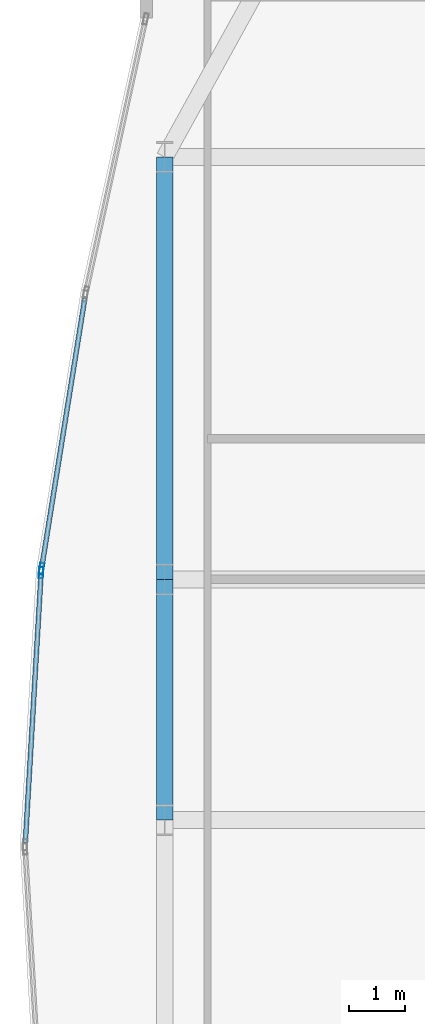
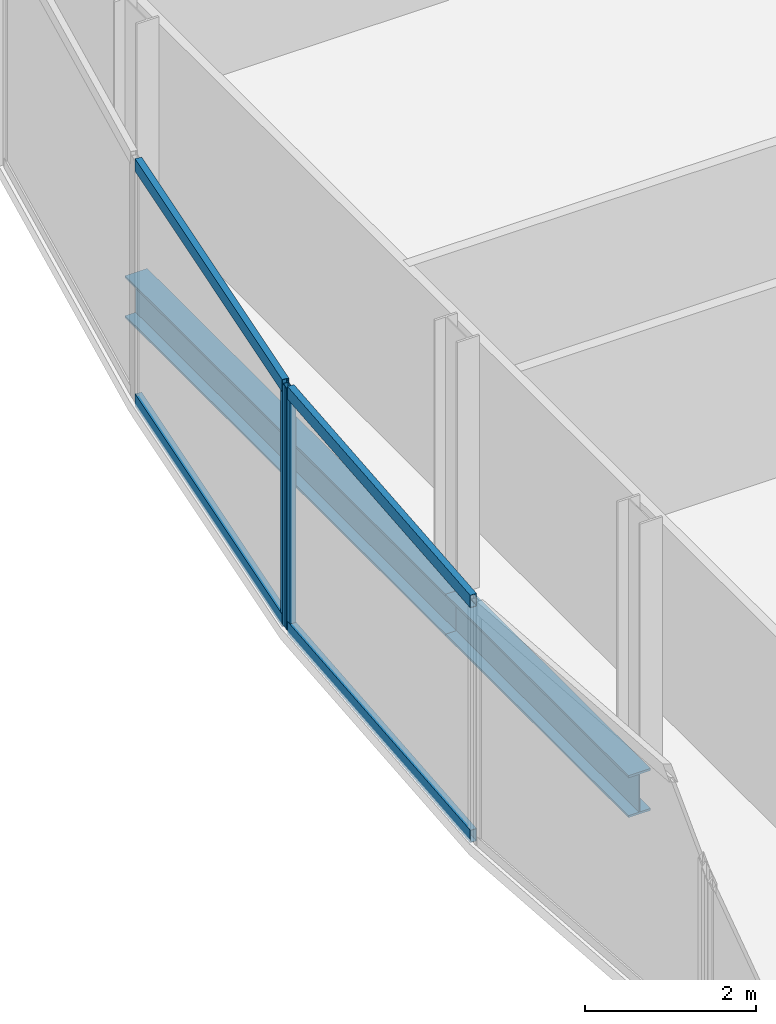
# One storey, part 11 of 29: 6 members, 2 beams, 2 elements without a shape of their own.
"""IFC4 building model written with IfcOpenShell, lengths in metres."""

from ifc_helpers import new_model, si_unit, direction, frame, origin, origin_2d, place, context, subcontext, project, spatial, hollow_rectangle, i_section, extrude, material, material_profile, profile_set, type_object, element, aggregate, save


model = new_model("IFC4")

# Units and contexts
model_context = context("Model", 3, precision=1e-05, world=origin(), true_north=direction((0.0, 1.0)))
body_context = subcontext(model_context, "Body", "Model", "MODEL_VIEW")
ifc_project = project(units=[si_unit("LENGTHUNIT", "METRE"), si_unit("AREAUNIT", "SQUARE_METRE"), si_unit("VOLUMEUNIT", "CUBIC_METRE"), si_unit("PLANEANGLEUNIT", "RADIAN"), si_unit("MASSUNIT", "GRAM", prefix="KILO")], contexts=[model_context])

# Site, building, storey
site_placement = place(None, origin())
site = spatial("IfcSite", under=ifc_project, at=site_placement, CompositionType="ELEMENT")
building_placement = place(site_placement, origin())
building = spatial("IfcBuilding", under=site, at=building_placement, Name="Khoronbel Lancet Exchange", CompositionType="ELEMENT")
storey_placement = place(building_placement, frame((0.0, 0.0, 161.39990234375)))
storey = spatial("IfcBuildingStorey", under=building, at=storey_placement, Name="L40", CompositionType="ELEMENT", Elevation=161.39990234375)

# Beams
ifc_material_1 = material(Name="Steel S355", Category="steel")
ifc_material_profile_1 = material_profile(ifc_material_1, i_section(OverallWidth=0.300048828125, OverallDepth=0.60009765625, WebThickness=0.015380859375, FlangeThickness=0.030029296875, at=origin_2d()), Name="HEB 600")
ifc_profile_set_1 = profile_set([ifc_material_profile_1], Name="Steel S355")
beam_type = type_object("IfcBeamType", Name="BM-BSP2", PredefinedType="SPANDREL", material=ifc_profile_set_1)
beam_1_placement = place(storey_placement, frame((5.27001953125, 43.199951171875, -0.4599609375), z_axis=(0.0, -1.0, 0.0), x_axis=(1.0, 0.0, 0.0)))
element("IfcBeam", 1, at=beam_1_placement, inside=storey, type_object=beam_type, Name="Level L40 perimeter spandrel beam SP17", PredefinedType="SPANDREL", context=body_context, shape_type="SweptSolid", body=[
    extrude(i_section(OverallWidth=0.300048828125, OverallDepth=0.60009765625, WebThickness=0.015380859375, FlangeThickness=0.030029296875, at=origin_2d()), origin(), (0.0, 0.0, 1.0), 7.5),
])
beam_2_placement = place(storey_placement, frame((5.27001953125, 35.699951171875, -0.4599609375), z_axis=(0.0, -1.0, 0.0), x_axis=(1.0, 0.0, 0.0)))
element("IfcBeam", 2, at=beam_2_placement, inside=storey, type_object=beam_type, Name="Level L40 perimeter spandrel beam SP18", PredefinedType="SPANDREL", context=body_context, shape_type="SweptSolid", body=[
    extrude(i_section(OverallWidth=0.300048828125, OverallDepth=0.60009765625, WebThickness=0.015380859375, FlangeThickness=0.030029296875, at=origin_2d()), origin(), (0.0, 0.0, 1.0), 4.27490234375),
])

# Curtain wall, member
ifc_material_2 = material(Name="Low-E Solar Control Insulating Glass", Category="glass")
curtain_wall_type = type_object("IfcCurtainWallType", Name="CW-4", PredefinedType="NOTDEFINED", material=ifc_material_2)
curtain_wall_1_placement = place(storey_placement, origin())
curtain_wall_1 = element("IfcCurtainWall", 3, at=curtain_wall_1_placement, inside=storey, type_object=curtain_wall_type, Name="Unitised curtain wall CW-L40-E07", PredefinedType="NOTDEFINED")
ifc_material_3 = material(Name="Bronze-Anodised Aluminium 6063-T6", Category="aluminium")
ifc_material_profile_2 = material_profile(ifc_material_3, hollow_rectangle(XDim=0.074951171875, YDim=0.199951171875, WallThickness=0.0048828125, at=origin_2d()), Name="ALU MULLION 75x200")
ifc_profile_set_2 = profile_set([ifc_material_profile_2], Name="Bronze-Anodised Aluminium 6063-T6")
member_type_1 = type_object("IfcMemberType", Name="MEM-CWM2", PredefinedType="MULLION", material=ifc_profile_set_2)
member_1_placement = place(storey_placement, frame((3.075439453125, 35.819580078125, 0.0), z_axis=(0.0, 0.0, 1.0), x_axis=(-0.998289143908, 0.058470378441, 0.0)))
member_1 = element("IfcMember", 4, at=member_1_placement, type_object=member_type_1, Name="CW4 mullion 2", PredefinedType="MULLION", context=body_context, shape_type="SweptSolid", body=[
    extrude(hollow_rectangle(XDim=0.074951171875, YDim=0.199951171875, WallThickness=0.0048828125, at=origin_2d()), origin(), (0.0, 0.0, 1.0), 3.440185546875),
])

curtain_wall_2_placement = place(storey_placement, origin())
curtain_wall_2 = element("IfcCurtainWall", 5, at=curtain_wall_2_placement, inside=storey, type_object=curtain_wall_type, Name="Unitised curtain wall CW-L40-E08", PredefinedType="NOTDEFINED")
member_2_placement = place(storey_placement, frame((3.08349609375, 35.89404296875, 0.0), z_axis=(0.0, 0.0, 1.0), x_axis=(-0.987429710822, 0.158058742835, 0.0)))
member_2 = element("IfcMember", 6, at=member_2_placement, type_object=member_type_1, Name="CW4 mullion 1", PredefinedType="MULLION", context=body_context, shape_type="SweptSolid", body=[
    extrude(hollow_rectangle(XDim=0.074951171875, YDim=0.199951171875, WallThickness=0.0048828125, at=origin_2d()), origin(), (0.0, 0.0, 1.0), 3.440185546875),
])

# Member
ifc_material_profile_3 = material_profile(ifc_material_3, hollow_rectangle(XDim=0.0849609375, YDim=0.179931640625, WallThickness=0.0048828125, at=origin_2d()), Name="ALU TRANSOM 85x180")
ifc_profile_set_3 = profile_set([ifc_material_profile_3], Name="Bronze-Anodised Aluminium 6063-T6")
member_type_2 = type_object("IfcMemberType", Name="MEM-CWT1", PredefinedType="USERDEFINED", material=ifc_profile_set_3)
member_3_placement = place(storey_placement, frame((2.794677734375, 31.02490234375, 0.04248046875), z_axis=(0.05845772434, 0.998289884986, 0.0), x_axis=(-0.998289884986, 0.05845772434, 0.0)))
member_3 = element("IfcMember", 7, at=member_3_placement, type_object=member_type_2, Name="CW4 transom 1.1", ObjectType="TRANSOM", PredefinedType="USERDEFINED", context=body_context, shape_type="SweptSolid", body=[
    extrude(hollow_rectangle(XDim=0.0849609375, YDim=0.179931640625, WallThickness=0.0048828125, at=origin_2d()), origin(), (0.0, 0.0, 1.0), 4.76513671875),
])

member_4_placement = place(storey_placement, frame((2.794677734375, 31.02490234375, 3.397705078125), z_axis=(0.05845772434, 0.998289884986, 0.0), x_axis=(-0.998289884986, 0.05845772434, 0.0)))
member_4 = element("IfcMember", 8, at=member_4_placement, type_object=member_type_2, Name="CW4 transom 1.2", ObjectType="TRANSOM", PredefinedType="USERDEFINED", context=body_context, shape_type="SweptSolid", body=[
    extrude(hollow_rectangle(XDim=0.0849609375, YDim=0.179931640625, WallThickness=0.0048828125, at=origin_2d()), origin(), (0.0, 0.0, 1.0), 4.76513671875),
])

aggregate(curtain_wall_1, [member_1, member_3, member_4])

member_5_placement = place(storey_placement, frame((3.08935546875, 35.930908203125, 0.04248046875), z_axis=(0.158057634889, 0.987429888171, 0.0), x_axis=(-0.987429888171, 0.158057634889, 0.0)))
member_5 = element("IfcMember", 9, at=member_5_placement, type_object=member_type_2, Name="CW4 transom 1.1", ObjectType="TRANSOM", PredefinedType="USERDEFINED", context=body_context, shape_type="SweptSolid", body=[
    extrude(hollow_rectangle(XDim=0.0849609375, YDim=0.179931640625, WallThickness=0.0048828125, at=origin_2d()), origin(), (0.0, 0.0, 1.0), 4.822265625),
])

member_6_placement = place(storey_placement, frame((3.08935546875, 35.930908203125, 3.397705078125), z_axis=(0.158057634889, 0.987429888171, 0.0), x_axis=(-0.987429888171, 0.158057634889, 0.0)))
member_6 = element("IfcMember", 10, at=member_6_placement, type_object=member_type_2, Name="CW4 transom 1.2", ObjectType="TRANSOM", PredefinedType="USERDEFINED", context=body_context, shape_type="SweptSolid", body=[
    extrude(hollow_rectangle(XDim=0.0849609375, YDim=0.179931640625, WallThickness=0.0048828125, at=origin_2d()), origin(), (0.0, 0.0, 1.0), 4.822265625),
])

aggregate(curtain_wall_2, [member_2, member_5, member_6])

save(model, "model.ifc")
